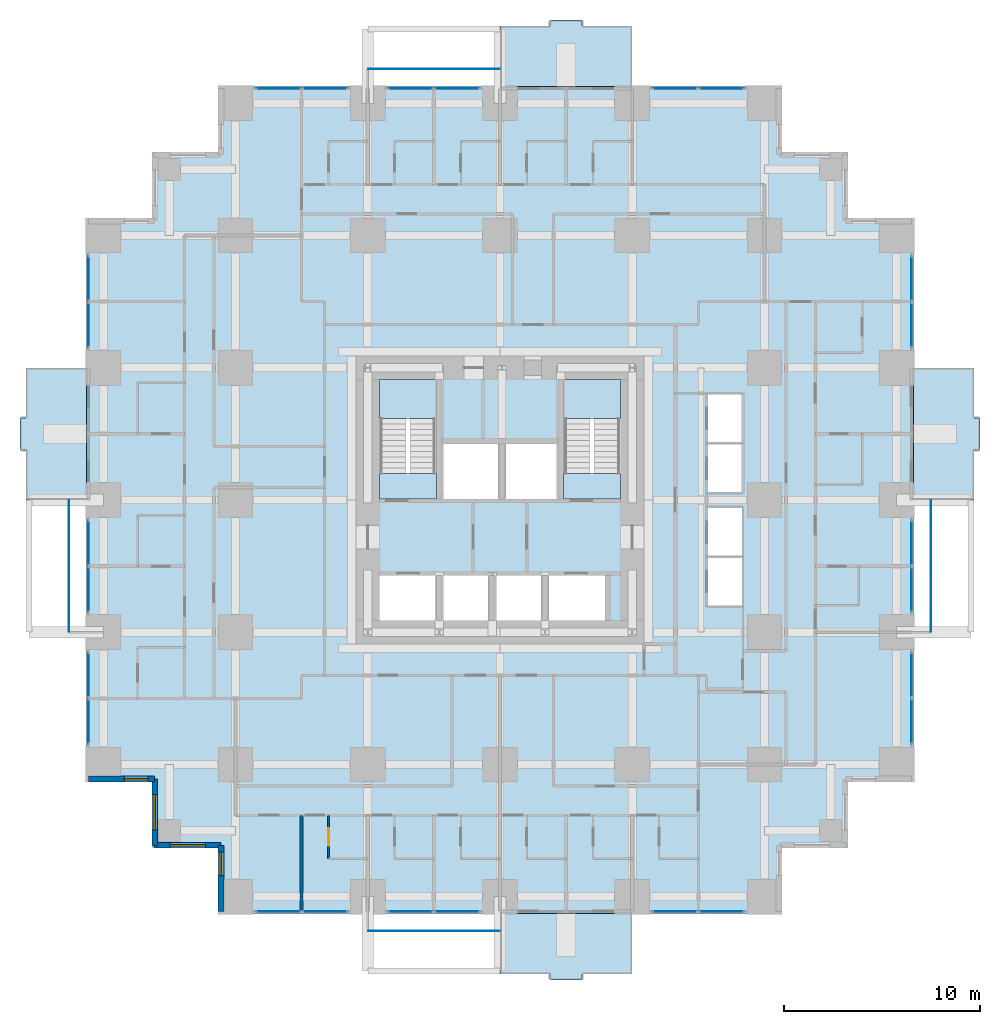
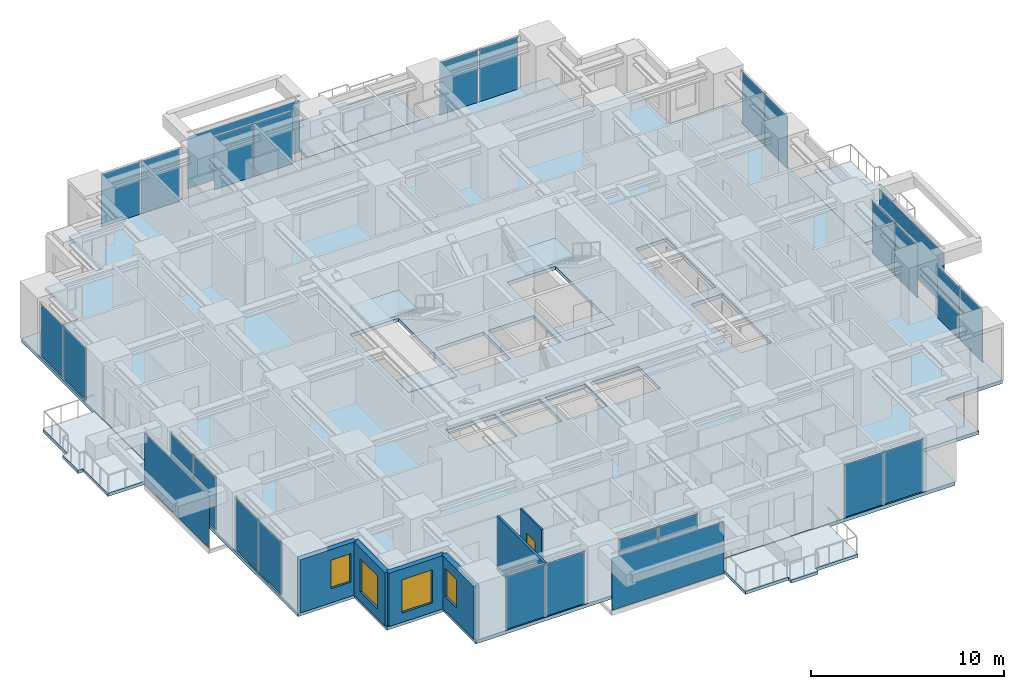
# One storey, part 7 of 14: 28 plates, 9 slabs, 6 walls, 4 windows, 1 door, 5 openings, 14 elements without a shape of their own.
"""IFC4 building model written with IfcOpenShell, lengths in metres."""

from ifc_helpers import new_model, si_unit, direction, frame, frame_2d, origin, origin_2d, place, context, subcontext, project, spatial, polyline, rectangle, outline, extrude, material, layer, layer_set, type_object, element, fill, aggregate, save


model = new_model("IFC4")

# Units and contexts
model_context = context("Model", 3, precision=1e-05, world=origin(), true_north=direction((0.0, 1.0)))
body_context = subcontext(model_context, "Body", "Model", "MODEL_VIEW")
ifc_project = project(units=[si_unit("LENGTHUNIT", "METRE"), si_unit("AREAUNIT", "SQUARE_METRE"), si_unit("VOLUMEUNIT", "CUBIC_METRE"), si_unit("PLANEANGLEUNIT", "RADIAN"), si_unit("MASSUNIT", "GRAM", prefix="KILO")], contexts=[model_context])

# Site, building, storey
site_placement = place(None, origin())
site = spatial("IfcSite", under=ifc_project, at=site_placement, CompositionType="ELEMENT")
building_placement = place(site_placement, origin())
building = spatial("IfcBuilding", under=site, at=building_placement, Name="Nyansa Garden Tower", CompositionType="ELEMENT")
storey_placement = place(building_placement, frame((0.0, 0.0, 64.800048828125)))
storey = spatial("IfcBuildingStorey", under=building, at=storey_placement, Name="L17", CompositionType="ELEMENT", Elevation=64.800048828125)

# Slabs
ifc_material_1 = material(Name="Concrete C40/50", Category="concrete")
ifc_layer_1 = layer(ifc_material_1, 0.199951171875)
ifc_layer_set_1 = layer_set([ifc_layer_1], Name="Balcony slab BS200")
slab_type_1 = type_object("IfcSlabType", Name="Balcony slab BS200", PredefinedType="FLOOR", material=ifc_layer_set_1)
slab_1_placement = place(storey_placement, frame((0.0, 0.0, -0.239990234375)))
element("IfcSlab", 1, at=slab_1_placement, inside=storey, type_object=slab_type_1, Name="Balcony L17 S", PredefinedType="FLOOR", context=body_context, shape_type="SweptSolid", body=[
    extrude(outline(polyline([(20.25, -0.85009765625), (27.0, -0.85009765625), (27.0, -3.949951171875), (24.425048828125, -3.949951171875), (24.425048828125, -4.25), (22.824951171875, -4.25), (22.824951171875, -3.949951171875), (20.25, -3.949951171875), (20.25, -0.85009765625)])), origin(), (0.0, 0.0, 1.0), 0.199951171875),
])
slab_2_placement = place(storey_placement, frame((0.0, 0.0, -0.239990234375)))
element("IfcSlab", 2, at=slab_2_placement, inside=storey, type_object=slab_type_1, Name="Balcony L17 E", PredefinedType="FLOOR", context=body_context, shape_type="SweptSolid", body=[
    extrude(outline(polyline([(41.35009765625, 20.25), (41.35009765625, 27.0), (44.449951171875, 27.0), (44.449951171875, 24.425048828125), (44.75, 24.425048828125), (44.75, 22.824951171875), (44.449951171875, 22.824951171875), (44.449951171875, 20.25), (41.35009765625, 20.25)])), origin(), (0.0, 0.0, 1.0), 0.199951171875),
])
slab_3_placement = place(storey_placement, frame((0.0, 0.0, -0.239990234375)))
element("IfcSlab", 3, at=slab_3_placement, inside=storey, type_object=slab_type_1, Name="Balcony L17 N", PredefinedType="FLOOR", context=body_context, shape_type="SweptSolid", body=[
    extrude(outline(polyline([(20.25, 41.35009765625), (27.0, 41.35009765625), (27.0, 44.449951171875), (24.425048828125, 44.449951171875), (24.425048828125, 44.75), (22.824951171875, 44.75), (22.824951171875, 44.449951171875), (20.25, 44.449951171875), (20.25, 41.35009765625)])), origin(), (0.0, 0.0, 1.0), 0.199951171875),
])
slab_4_placement = place(storey_placement, frame((0.0, 0.0, -0.239990234375)))
element("IfcSlab", 4, at=slab_4_placement, inside=storey, type_object=slab_type_1, Name="Balcony L17 W", PredefinedType="FLOOR", context=body_context, shape_type="SweptSolid", body=[
    extrude(outline(polyline([(-0.85009765625, 20.25), (-0.85009765625, 27.0), (-3.949951171875, 27.0), (-3.949951171875, 24.425048828125), (-4.25, 24.425048828125), (-4.25, 22.824951171875), (-3.949951171875, 22.824951171875), (-3.949951171875, 20.25), (-0.85009765625, 20.25)])), origin(), (0.0, 0.0, 1.0), 0.199951171875),
])

# Curtain wall, plates
ifc_material_2 = material(Name="Black anodised aluminium, dark tinted double glazing", Category="aluminium")
curtain_wall_type = type_object("IfcCurtainWallType", Name="Inner skin curtain wall ISW-A", PredefinedType="USERDEFINED", material=ifc_material_2)
curtain_wall_1_placement = place(storey_placement, origin())
curtain_wall_1 = element("IfcCurtainWall", 5, at=curtain_wall_1_placement, inside=storey, type_object=curtain_wall_type, Name="Inner skin curtain wall L17 E", ObjectType="UNITISED CURTAIN WALL", PredefinedType="USERDEFINED")
ifc_material_3 = material(Name="Dark tinted laminated double glazing", Category="glass")
ifc_layer_2 = layer(ifc_material_3, 0.031982421875)
ifc_layer_set_2 = layer_set([ifc_layer_2], Name="Dark tinted vision panel VP-A")
plate_type_1 = type_object("IfcPlateType", Name="Dark tinted vision panel VP-A", PredefinedType="CURTAIN_PANEL", material=ifc_layer_set_2)
plate_1_placement = place(storey_placement, frame((41.25, 8.9375, 0.0), z_axis=(0.0, 0.0, 1.0), x_axis=(0.0, 1.0, 0.0)))
plate_1 = element("IfcPlate", 6, at=plate_1_placement, type_object=plate_type_1, Name="ISW-A panel 1", PredefinedType="CURTAIN_PANEL", context=body_context, shape_type="SweptSolid", body=[
    extrude(rectangle(XDim=2.31005859375, YDim=0.031982421875, at=origin_2d()), origin(), (0.0, 0.0, 1.0), 3.31005859375),
])
plate_2_placement = place(storey_placement, frame((41.25, 11.3125, 0.0), z_axis=(0.0, 0.0, 1.0), x_axis=(0.0, 1.0, 0.0)))
plate_2 = element("IfcPlate", 7, at=plate_2_placement, type_object=plate_type_1, Name="ISW-A panel 2", PredefinedType="CURTAIN_PANEL", context=body_context, shape_type="SweptSolid", body=[
    extrude(rectangle(XDim=2.31005859375, YDim=0.031982421875, at=origin_2d()), origin(), (0.0, 0.0, 1.0), 3.31005859375),
])
aggregate(curtain_wall_1, [plate_1, plate_2])

curtain_wall_2_placement = place(storey_placement, origin())
curtain_wall_2 = element("IfcCurtainWall", 8, at=curtain_wall_2_placement, inside=storey, type_object=curtain_wall_type, Name="Inner skin curtain wall L17 E", ObjectType="UNITISED CURTAIN WALL", PredefinedType="USERDEFINED")
plate_3_placement = place(storey_placement, frame((41.25, 15.6875, 0.0), z_axis=(0.0, 0.0, 1.0), x_axis=(0.0, 1.0, 0.0)))
plate_3 = element("IfcPlate", 9, at=plate_3_placement, type_object=plate_type_1, Name="ISW-A panel 1", PredefinedType="CURTAIN_PANEL", context=body_context, shape_type="SweptSolid", body=[
    extrude(rectangle(XDim=2.31005859375, YDim=0.031982421875, at=origin_2d()), origin(), (0.0, 0.0, 1.0), 3.31005859375),
])
plate_4_placement = place(storey_placement, frame((41.25, 18.0625, 0.0), z_axis=(0.0, 0.0, 1.0), x_axis=(0.0, 1.0, 0.0)))
plate_4 = element("IfcPlate", 10, at=plate_4_placement, type_object=plate_type_1, Name="ISW-A panel 2", PredefinedType="CURTAIN_PANEL", context=body_context, shape_type="SweptSolid", body=[
    extrude(rectangle(XDim=2.31005859375, YDim=0.031982421875, at=origin_2d()), origin(), (0.0, 0.0, 1.0), 3.31005859375),
])
aggregate(curtain_wall_2, [plate_3, plate_4])

curtain_wall_3_placement = place(storey_placement, origin())
curtain_wall_3 = element("IfcCurtainWall", 11, at=curtain_wall_3_placement, inside=storey, type_object=curtain_wall_type, Name="Inner skin curtain wall L17 E", ObjectType="UNITISED CURTAIN WALL", PredefinedType="USERDEFINED")
plate_5_placement = place(storey_placement, frame((41.25, 29.1875, 0.0), z_axis=(0.0, 0.0, 1.0), x_axis=(0.0, 1.0, 0.0)))
plate_5 = element("IfcPlate", 12, at=plate_5_placement, type_object=plate_type_1, Name="ISW-A panel 1", PredefinedType="CURTAIN_PANEL", context=body_context, shape_type="SweptSolid", body=[
    extrude(rectangle(XDim=2.31005859375, YDim=0.031982421875, at=origin_2d()), origin(), (0.0, 0.0, 1.0), 3.31005859375),
])
plate_6_placement = place(storey_placement, frame((41.25, 31.5625, 0.0), z_axis=(0.0, 0.0, 1.0), x_axis=(0.0, 1.0, 0.0)))
plate_6 = element("IfcPlate", 13, at=plate_6_placement, type_object=plate_type_1, Name="ISW-A panel 2", PredefinedType="CURTAIN_PANEL", context=body_context, shape_type="SweptSolid", body=[
    extrude(rectangle(XDim=2.31005859375, YDim=0.031982421875, at=origin_2d()), origin(), (0.0, 0.0, 1.0), 3.31005859375),
])
aggregate(curtain_wall_3, [plate_5, plate_6])

curtain_wall_4_placement = place(storey_placement, origin())
curtain_wall_4 = element("IfcCurtainWall", 14, at=curtain_wall_4_placement, inside=storey, type_object=curtain_wall_type, Name="Inner skin curtain wall L17 N", ObjectType="UNITISED CURTAIN WALL", PredefinedType="USERDEFINED")
plate_7_placement = place(storey_placement, frame((18.0625, 41.25, 0.0), z_axis=(0.0, 0.0, 1.0), x_axis=(-1.0, 0.0, 0.0)))
plate_7 = element("IfcPlate", 15, at=plate_7_placement, type_object=plate_type_1, Name="ISW-A panel 1", PredefinedType="CURTAIN_PANEL", context=body_context, shape_type="SweptSolid", body=[
    extrude(rectangle(XDim=2.31005859375, YDim=0.031982421875, at=origin_2d()), origin(), (0.0, 0.0, 1.0), 3.31005859375),
])
plate_8_placement = place(storey_placement, frame((15.6875, 41.25, 0.0), z_axis=(0.0, 0.0, 1.0), x_axis=(-1.0, 0.0, 0.0)))
plate_8 = element("IfcPlate", 16, at=plate_8_placement, type_object=plate_type_1, Name="ISW-A panel 2", PredefinedType="CURTAIN_PANEL", context=body_context, shape_type="SweptSolid", body=[
    extrude(rectangle(XDim=2.31005859375, YDim=0.031982421875, at=origin_2d()), origin(), (0.0, 0.0, 1.0), 3.31005859375),
])
aggregate(curtain_wall_4, [plate_7, plate_8])

curtain_wall_5_placement = place(storey_placement, origin())
curtain_wall_5 = element("IfcCurtainWall", 17, at=curtain_wall_5_placement, inside=storey, type_object=curtain_wall_type, Name="Inner skin curtain wall L17 N", ObjectType="UNITISED CURTAIN WALL", PredefinedType="USERDEFINED")
plate_9_placement = place(storey_placement, frame((11.3125, 41.25, 0.0), z_axis=(0.0, 0.0, 1.0), x_axis=(-1.0, 0.0, 0.0)))
plate_9 = element("IfcPlate", 18, at=plate_9_placement, type_object=plate_type_1, Name="ISW-A panel 1", PredefinedType="CURTAIN_PANEL", context=body_context, shape_type="SweptSolid", body=[
    extrude(rectangle(XDim=2.31005859375, YDim=0.031982421875, at=origin_2d()), origin(), (0.0, 0.0, 1.0), 3.31005859375),
])
plate_10_placement = place(storey_placement, frame((8.9375, 41.25, 0.0), z_axis=(0.0, 0.0, 1.0), x_axis=(-1.0, 0.0, 0.0)))
plate_10 = element("IfcPlate", 19, at=plate_10_placement, type_object=plate_type_1, Name="ISW-A panel 2", PredefinedType="CURTAIN_PANEL", context=body_context, shape_type="SweptSolid", body=[
    extrude(rectangle(XDim=2.31005859375, YDim=0.031982421875, at=origin_2d()), origin(), (0.0, 0.0, 1.0), 3.31005859375),
])
aggregate(curtain_wall_5, [plate_9, plate_10])

curtain_wall_6_placement = place(storey_placement, origin())
curtain_wall_6 = element("IfcCurtainWall", 20, at=curtain_wall_6_placement, inside=storey, type_object=curtain_wall_type, Name="Inner skin curtain wall L17 N", ObjectType="UNITISED CURTAIN WALL", PredefinedType="USERDEFINED")
plate_11_placement = place(storey_placement, frame((31.5625, 41.25, 0.0), z_axis=(0.0, 0.0, 1.0), x_axis=(-1.0, 0.0, 0.0)))
plate_11 = element("IfcPlate", 21, at=plate_11_placement, type_object=plate_type_1, Name="ISW-A panel 1", PredefinedType="CURTAIN_PANEL", context=body_context, shape_type="SweptSolid", body=[
    extrude(rectangle(XDim=2.31005859375, YDim=0.031982421875, at=origin_2d()), origin(), (0.0, 0.0, 1.0), 3.31005859375),
])
plate_12_placement = place(storey_placement, frame((29.1875, 41.25, 0.0), z_axis=(0.0, 0.0, 1.0), x_axis=(-1.0, 0.0, 0.0)))
plate_12 = element("IfcPlate", 22, at=plate_12_placement, type_object=plate_type_1, Name="ISW-A panel 2", PredefinedType="CURTAIN_PANEL", context=body_context, shape_type="SweptSolid", body=[
    extrude(rectangle(XDim=2.31005859375, YDim=0.031982421875, at=origin_2d()), origin(), (0.0, 0.0, 1.0), 3.31005859375),
])
aggregate(curtain_wall_6, [plate_11, plate_12])

curtain_wall_7_placement = place(storey_placement, origin())
curtain_wall_7 = element("IfcCurtainWall", 23, at=curtain_wall_7_placement, inside=storey, type_object=curtain_wall_type, Name="Inner skin curtain wall L17 W", ObjectType="UNITISED CURTAIN WALL", PredefinedType="USERDEFINED")
plate_13_placement = place(storey_placement, frame((-0.75, 18.0625, 0.0), z_axis=(0.0, 0.0, 1.0), x_axis=(0.0, -1.0, 0.0)))
plate_13 = element("IfcPlate", 24, at=plate_13_placement, type_object=plate_type_1, Name="ISW-A panel 1", PredefinedType="CURTAIN_PANEL", context=body_context, shape_type="SweptSolid", body=[
    extrude(rectangle(XDim=2.31005859375, YDim=0.031982421875, at=origin_2d()), origin(), (0.0, 0.0, 1.0), 3.31005859375),
])
plate_14_placement = place(storey_placement, frame((-0.75, 15.6875, 0.0), z_axis=(0.0, 0.0, 1.0), x_axis=(0.0, -1.0, 0.0)))
plate_14 = element("IfcPlate", 25, at=plate_14_placement, type_object=plate_type_1, Name="ISW-A panel 2", PredefinedType="CURTAIN_PANEL", context=body_context, shape_type="SweptSolid", body=[
    extrude(rectangle(XDim=2.31005859375, YDim=0.031982421875, at=origin_2d()), origin(), (0.0, 0.0, 1.0), 3.31005859375),
])
aggregate(curtain_wall_7, [plate_13, plate_14])

curtain_wall_8_placement = place(storey_placement, origin())
curtain_wall_8 = element("IfcCurtainWall", 26, at=curtain_wall_8_placement, inside=storey, type_object=curtain_wall_type, Name="Inner skin curtain wall L17 W", ObjectType="UNITISED CURTAIN WALL", PredefinedType="USERDEFINED")
plate_15_placement = place(storey_placement, frame((-0.75, 11.3125, 0.0), z_axis=(0.0, 0.0, 1.0), x_axis=(0.0, -1.0, 0.0)))
plate_15 = element("IfcPlate", 27, at=plate_15_placement, type_object=plate_type_1, Name="ISW-A panel 1", PredefinedType="CURTAIN_PANEL", context=body_context, shape_type="SweptSolid", body=[
    extrude(rectangle(XDim=2.31005859375, YDim=0.031982421875, at=origin_2d()), origin(), (0.0, 0.0, 1.0), 3.31005859375),
])
plate_16_placement = place(storey_placement, frame((-0.75, 8.9375, 0.0), z_axis=(0.0, 0.0, 1.0), x_axis=(0.0, -1.0, 0.0)))
plate_16 = element("IfcPlate", 28, at=plate_16_placement, type_object=plate_type_1, Name="ISW-A panel 2", PredefinedType="CURTAIN_PANEL", context=body_context, shape_type="SweptSolid", body=[
    extrude(rectangle(XDim=2.31005859375, YDim=0.031982421875, at=origin_2d()), origin(), (0.0, 0.0, 1.0), 3.31005859375),
])
aggregate(curtain_wall_8, [plate_15, plate_16])

curtain_wall_9_placement = place(storey_placement, origin())
curtain_wall_9 = element("IfcCurtainWall", 29, at=curtain_wall_9_placement, inside=storey, type_object=curtain_wall_type, Name="Inner skin curtain wall L17 W", ObjectType="UNITISED CURTAIN WALL", PredefinedType="USERDEFINED")
plate_17_placement = place(storey_placement, frame((-0.75, 31.5625, 0.0), z_axis=(0.0, 0.0, 1.0), x_axis=(0.0, -1.0, 0.0)))
plate_17 = element("IfcPlate", 30, at=plate_17_placement, type_object=plate_type_1, Name="ISW-A panel 1", PredefinedType="CURTAIN_PANEL", context=body_context, shape_type="SweptSolid", body=[
    extrude(rectangle(XDim=2.31005859375, YDim=0.031982421875, at=origin_2d()), origin(), (0.0, 0.0, 1.0), 3.31005859375),
])
plate_18_placement = place(storey_placement, frame((-0.75, 29.1875, 0.0), z_axis=(0.0, 0.0, 1.0), x_axis=(0.0, -1.0, 0.0)))
plate_18 = element("IfcPlate", 31, at=plate_18_placement, type_object=plate_type_1, Name="ISW-A panel 2", PredefinedType="CURTAIN_PANEL", context=body_context, shape_type="SweptSolid", body=[
    extrude(rectangle(XDim=2.31005859375, YDim=0.031982421875, at=origin_2d()), origin(), (0.0, 0.0, 1.0), 3.31005859375),
])
aggregate(curtain_wall_9, [plate_17, plate_18])

curtain_wall_10_placement = place(storey_placement, origin())
curtain_wall_10 = element("IfcCurtainWall", 32, at=curtain_wall_10_placement, inside=storey, type_object=curtain_wall_type, Name="Inner skin curtain wall L17 S", ObjectType="UNITISED CURTAIN WALL", PredefinedType="USERDEFINED")
plate_19_placement = place(storey_placement, frame((8.9375, -0.75, 0.0), z_axis=(0.0, 0.0, 1.0), x_axis=(1.0, 0.0, 0.0)))
plate_19 = element("IfcPlate", 33, at=plate_19_placement, type_object=plate_type_1, Name="ISW-A panel 1", PredefinedType="CURTAIN_PANEL", context=body_context, shape_type="SweptSolid", body=[
    extrude(rectangle(XDim=2.31005859375, YDim=0.031982421875, at=origin_2d()), origin(), (0.0, 0.0, 1.0), 3.31005859375),
])
plate_20_placement = place(storey_placement, frame((11.3125, -0.75, 0.0), z_axis=(0.0, 0.0, 1.0), x_axis=(1.0, 0.0, 0.0)))
plate_20 = element("IfcPlate", 34, at=plate_20_placement, type_object=plate_type_1, Name="ISW-A panel 2", PredefinedType="CURTAIN_PANEL", context=body_context, shape_type="SweptSolid", body=[
    extrude(rectangle(XDim=2.31005859375, YDim=0.031982421875, at=origin_2d()), origin(), (0.0, 0.0, 1.0), 3.31005859375),
])
aggregate(curtain_wall_10, [plate_19, plate_20])

curtain_wall_11_placement = place(storey_placement, origin())
curtain_wall_11 = element("IfcCurtainWall", 35, at=curtain_wall_11_placement, inside=storey, type_object=curtain_wall_type, Name="Inner skin curtain wall L17 S", ObjectType="UNITISED CURTAIN WALL", PredefinedType="USERDEFINED")
plate_21_placement = place(storey_placement, frame((15.6875, -0.75, 0.0), z_axis=(0.0, 0.0, 1.0), x_axis=(1.0, 0.0, 0.0)))
plate_21 = element("IfcPlate", 36, at=plate_21_placement, type_object=plate_type_1, Name="ISW-A panel 1", PredefinedType="CURTAIN_PANEL", context=body_context, shape_type="SweptSolid", body=[
    extrude(rectangle(XDim=2.31005859375, YDim=0.031982421875, at=origin_2d()), origin(), (0.0, 0.0, 1.0), 3.31005859375),
])
plate_22_placement = place(storey_placement, frame((18.0625, -0.75, 0.0), z_axis=(0.0, 0.0, 1.0), x_axis=(1.0, 0.0, 0.0)))
plate_22 = element("IfcPlate", 37, at=plate_22_placement, type_object=plate_type_1, Name="ISW-A panel 2", PredefinedType="CURTAIN_PANEL", context=body_context, shape_type="SweptSolid", body=[
    extrude(rectangle(XDim=2.31005859375, YDim=0.031982421875, at=origin_2d()), origin(), (0.0, 0.0, 1.0), 3.31005859375),
])
aggregate(curtain_wall_11, [plate_21, plate_22])

curtain_wall_12_placement = place(storey_placement, origin())
curtain_wall_12 = element("IfcCurtainWall", 38, at=curtain_wall_12_placement, inside=storey, type_object=curtain_wall_type, Name="Inner skin curtain wall L17 S", ObjectType="UNITISED CURTAIN WALL", PredefinedType="USERDEFINED")
plate_23_placement = place(storey_placement, frame((29.1875, -0.75, 0.0), z_axis=(0.0, 0.0, 1.0), x_axis=(1.0, 0.0, 0.0)))
plate_23 = element("IfcPlate", 39, at=plate_23_placement, type_object=plate_type_1, Name="ISW-A panel 1", PredefinedType="CURTAIN_PANEL", context=body_context, shape_type="SweptSolid", body=[
    extrude(rectangle(XDim=2.31005859375, YDim=0.031982421875, at=origin_2d()), origin(), (0.0, 0.0, 1.0), 3.31005859375),
])
plate_24_placement = place(storey_placement, frame((31.5625, -0.75, 0.0), z_axis=(0.0, 0.0, 1.0), x_axis=(1.0, 0.0, 0.0)))
plate_24 = element("IfcPlate", 40, at=plate_24_placement, type_object=plate_type_1, Name="ISW-A panel 2", PredefinedType="CURTAIN_PANEL", context=body_context, shape_type="SweptSolid", body=[
    extrude(rectangle(XDim=2.31005859375, YDim=0.031982421875, at=origin_2d()), origin(), (0.0, 0.0, 1.0), 3.31005859375),
])
aggregate(curtain_wall_12, [plate_23, plate_24])

# Slab
ifc_material_4 = material(Name="Concrete C40/50", Category="concrete")
ifc_layer_3 = layer(ifc_material_4, 0.22509765625)
ifc_layer_set_3 = layer_set([ifc_layer_3], Name="Floor slab FS225")
slab_type_2 = type_object("IfcSlabType", Name="Floor slab FS225", PredefinedType="FLOOR", material=ifc_layer_set_3)
slab_5_placement = place(storey_placement, frame((0.0, 0.0, -0.22509765625)))
element("IfcSlab", 41, at=slab_5_placement, inside=storey, type_object=slab_type_2, Name="Floor slab L17", PredefinedType="FLOOR", context=body_context, shape_type="SweptSolid", body=[
    extrude(outline(polyline([(41.35009765625, 5.89990234375), (37.97509765625, 5.89990234375), (37.97509765625, 2.52490234375), (34.60009765625, 2.52490234375), (34.60009765625, -0.85009765625), (5.89990234375, -0.85009765625), (5.89990234375, 2.52490234375), (2.52490234375, 2.52490234375), (2.52490234375, 5.89990234375), (-0.85009765625, 5.89990234375), (-0.85009765625, 34.60009765625), (2.52490234375, 34.60009765625), (2.52490234375, 37.97509765625), (5.89990234375, 37.97509765625), (5.89990234375, 41.35009765625), (34.60009765625, 41.35009765625), (34.60009765625, 37.97509765625), (37.97509765625, 37.97509765625), (37.97509765625, 34.60009765625), (41.35009765625, 34.60009765625), (41.35009765625, 5.89990234375)]), holes=[polyline([(14.10009765625, 14.10009765625), (17.0, 14.10009765625), (17.0, 16.39990234375), (14.10009765625, 16.39990234375), (14.10009765625, 14.10009765625)]), polyline([(17.300048828125, 14.10009765625), (19.699951171875, 14.10009765625), (19.699951171875, 16.39990234375), (17.300048828125, 16.39990234375), (17.300048828125, 14.10009765625)]), polyline([(20.0, 14.10009765625), (22.39990234375, 14.10009765625), (22.39990234375, 16.39990234375), (20.0, 16.39990234375), (20.0, 14.10009765625)]), polyline([(22.699951171875, 14.10009765625), (25.60009765625, 14.10009765625), (25.60009765625, 16.39990234375), (22.699951171875, 16.39990234375), (22.699951171875, 14.10009765625)]), polyline([(17.300048828125, 20.300048828125), (20.199951171875, 20.300048828125), (20.199951171875, 23.10009765625), (17.300048828125, 23.10009765625), (17.300048828125, 20.300048828125)]), polyline([(20.5, 20.300048828125), (23.199951171875, 20.300048828125), (23.199951171875, 23.10009765625), (20.5, 23.10009765625), (20.5, 20.300048828125)]), polyline([(30.800048828125, 14.800048828125), (32.64990234375, 14.800048828125), (32.64990234375, 19.89990234375), (30.800048828125, 19.89990234375), (30.800048828125, 14.800048828125)]), polyline([(30.800048828125, 20.60009765625), (32.64990234375, 20.60009765625), (32.64990234375, 25.699951171875), (30.800048828125, 25.699951171875), (30.800048828125, 20.60009765625)]), polyline([(14.10009765625, 20.300048828125), (17.0, 20.300048828125), (17.0, 26.39990234375), (14.10009765625, 26.39990234375), (14.10009765625, 20.300048828125)]), polyline([(23.5, 20.300048828125), (26.39990234375, 20.300048828125), (26.39990234375, 26.39990234375), (23.5, 26.39990234375), (23.5, 20.300048828125)])]), origin(), (0.0, 0.0, 1.0), 0.22509765625),
])

# Plates
ifc_material_5 = material(Name="Dark tinted laminated glass", Category="glass")
ifc_layer_4 = layer(ifc_material_5, 0.02392578125)
ifc_layer_set_4 = layer_set([ifc_layer_4], Name="Outer skin glass panel OS1")
plate_type_2 = type_object("IfcPlateType", Name="Outer skin glass panel OS1", PredefinedType="USERDEFINED", material=ifc_layer_set_4)
for number, where, z_axis, x_axis, name in (
    (42, (42.25, 16.875, -0.22509765625), (0.0, 0.0, 1.0), (0.0, 1.0, 0.0), "Outer skin glass panel L17"),
    (43, (16.875, 42.25, -0.22509765625), (0.0, 0.0, 1.0), (1.0, 0.0, 0.0), "Outer skin glass panel L17"),
    (44, (-1.75, 16.875, -0.22509765625), (0.0, 0.0, 1.0), (0.0, 1.0, 0.0), "Outer skin glass panel L17"),
    (45, (16.875, -1.75, -0.22509765625), (0.0, 0.0, 1.0), (1.0, 0.0, 0.0), "Outer skin glass panel L17"),
):
    element("IfcPlate", number, at=place(storey_placement, frame(where, z_axis=z_axis, x_axis=x_axis)), inside=storey, type_object=plate_type_2, Name=name, ObjectType="OUTER SKIN GLASS", PredefinedType="USERDEFINED", context=body_context, shape_type="SweptSolid", body=[
        extrude(rectangle(XDim=6.7099609375, YDim=0.02392578125, at=origin_2d()), origin(), (0.0, 0.0, 1.0), 3.300048828125),
    ])

# Stair, slabs
ifc_material_6 = material(Name="Precast concrete C40/50", Category="concrete")
stair_type_1 = type_object("IfcStairType", Name="Stair S1 164x280", PredefinedType="HALF_TURN_STAIR", material=ifc_material_6)
stair_1_placement = place(storey_placement, origin())
stair_1 = element("IfcStair", 46, at=stair_1_placement, inside=storey, type_object=stair_type_1, Name="Stair S1 L17", PredefinedType="HALF_TURN_STAIR")
ifc_material_7 = material(Name="Concrete C40/50", Category="concrete")
ifc_layer_5 = layer(ifc_material_7, 0.199951171875)
ifc_layer_set_5 = layer_set([ifc_layer_5], Name="Stair landing SL200")
slab_type_3 = type_object("IfcSlabType", Name="Stair landing SL200", PredefinedType="LANDING", material=ifc_layer_set_5)
slab_6_placement = place(storey_placement, frame((0.0, 0.0, -0.199951171875)))
slab_6 = element("IfcSlab", 47, at=slab_6_placement, type_object=slab_type_3, Name="S1 landing 1", PredefinedType="LANDING", context=body_context, shape_type="SweptSolid", body=[
    extrude(outline(polyline([(14.10009765625, 20.300048828125), (17.0, 20.300048828125), (17.0, 21.60009765625), (14.10009765625, 21.60009765625), (14.10009765625, 20.300048828125)])), origin(), (0.0, 0.0, 1.0), 0.199951171875),
])
slab_7_placement = place(storey_placement, frame((0.0, 0.0, 1.599853515625)))
slab_7 = element("IfcSlab", 48, at=slab_7_placement, type_object=slab_type_3, Name="S1 landing 2", PredefinedType="LANDING", context=body_context, shape_type="SweptSolid", body=[
    extrude(outline(polyline([(14.10009765625, 24.39990234375), (17.0, 24.39990234375), (17.0, 26.39990234375), (14.10009765625, 26.39990234375), (14.10009765625, 24.39990234375)])), origin(), (0.0, 0.0, 1.0), 0.2001953125),
])
aggregate(stair_1, [slab_6, slab_7])

ifc_material_8 = material(Name="Precast concrete C40/50", Category="concrete")
stair_type_2 = type_object("IfcStairType", Name="Stair S2 164x280", PredefinedType="HALF_TURN_STAIR", material=ifc_material_8)
stair_2_placement = place(storey_placement, origin())
stair_2 = element("IfcStair", 49, at=stair_2_placement, inside=storey, type_object=stair_type_2, Name="Stair S2 L17", PredefinedType="HALF_TURN_STAIR")
slab_8_placement = place(storey_placement, frame((0.0, 0.0, -0.199951171875)))
slab_8 = element("IfcSlab", 50, at=slab_8_placement, type_object=slab_type_3, Name="S2 landing 1", PredefinedType="LANDING", context=body_context, shape_type="SweptSolid", body=[
    extrude(outline(polyline([(23.5, 20.300048828125), (26.39990234375, 20.300048828125), (26.39990234375, 21.60009765625), (23.5, 21.60009765625), (23.5, 20.300048828125)])), origin(), (0.0, 0.0, 1.0), 0.199951171875),
])
slab_9_placement = place(storey_placement, frame((0.0, 0.0, 1.599853515625)))
slab_9 = element("IfcSlab", 51, at=slab_9_placement, type_object=slab_type_3, Name="S2 landing 2", PredefinedType="LANDING", context=body_context, shape_type="SweptSolid", body=[
    extrude(outline(polyline([(23.5, 24.39990234375), (26.39990234375, 24.39990234375), (26.39990234375, 26.39990234375), (23.5, 26.39990234375), (23.5, 24.39990234375)])), origin(), (0.0, 0.0, 1.0), 0.2001953125),
])
aggregate(stair_2, [slab_8, slab_9])

# Wall
ifc_material_9 = material(Name="Blockwork, plastered both sides", Category="masonry")
ifc_layer_6 = layer(ifc_material_9, 0.14990234375)
ifc_layer_set_6 = layer_set([ifc_layer_6], Name="Partition PW150")
wall_type_1 = type_object("IfcWallType", Name="Partition PW150", PredefinedType="PARTITIONING", material=ifc_layer_set_6)
wall_1_placement = place(storey_placement, frame((10.125, -0.73388671875, 0.0), z_axis=(0.0, 0.0, 1.0), x_axis=(0.0, 1.0, 0.0)))
element("IfcWall", 52, at=wall_1_placement, inside=storey, type_object=wall_type_1, Name="Partition", PredefinedType="PARTITIONING", context=body_context, shape_type="SweptSolid", body=[
    extrude(rectangle(XDim=4.8837890625, YDim=0.14990234375, at=frame_2d((2.44189453125, 0.0))), origin(), (0.0, 0.0, 1.0), 3.375),
])

# Wall, opening, window
ifc_material_10 = material(Name="Turquoise glazed tile on concrete blockwork", Category="masonry")
ifc_layer_7 = layer(ifc_material_10, 0.300048828125)
ifc_layer_set_7 = layer_set([ifc_layer_7], Name="Tiled corner wall TW300")
wall_type_2 = type_object("IfcWallType", Name="Tiled corner wall TW300", PredefinedType="SOLIDWALL", material=ifc_layer_set_7)
wall_2_placement = place(storey_placement, frame((-0.75, 6.0, 0.0), z_axis=(0.0, 0.0, 1.0), x_axis=(1.0, 0.0, 0.0)))
wall_2 = element("IfcWall", 53, at=wall_2_placement, inside=storey, type_object=wall_type_2, Name="Tiled corner wall L17", PredefinedType="SOLIDWALL", context=body_context, shape_type="SweptSolid", body=[
    extrude(rectangle(XDim=3.375, YDim=0.300048828125, at=frame_2d((1.6875, 0.0))), origin(), (0.0, 0.0, 1.0), 3.375),
])
opening_1_placement = place(wall_2_placement, frame((1.83251953125, 0.0, 0.89990234375)))
opening_1 = element("IfcOpeningElement", 54, at=opening_1_placement, cuts=wall_2, Name="Opening W4", PredefinedType="OPENING", context=body_context, shape_type="SweptSolid", body=[
    extrude(rectangle(XDim=1.199951171875, YDim=1.800048828125, at=frame_2d((0.60009765625, 0.89990234375))), frame((0.0, 0.159912109375, 0.0), z_axis=(0.0, -1.0, 0.0), x_axis=(1.0, 0.0, 0.0)), (0.0, 0.0, 1.0), 0.320068359375),
])
ifc_material_11 = material(Name="Black aluminium frame, dark tinted double glazing", Category="aluminium")
window_type_1 = type_object("IfcWindowType", Name="Window W4 1200x1800", PartitioningType="SINGLE_PANEL", PredefinedType="WINDOW", material=ifc_material_11)
window_1_placement = place(opening_1_placement, origin())
window_1 = element("IfcWindow", 55, at=window_1_placement, inside=storey, type_object=window_type_1, Name="Corner window L17", OverallHeight=1.800048828125, OverallWidth=1.199951171875, PartitioningType="SINGLE_PANEL", PredefinedType="WINDOW", context=body_context, shape_type="SweptSolid", body=[
    extrude(rectangle(XDim=1.199951171875, YDim=1.800048828125, at=frame_2d((0.60009765625, 0.89990234375))), frame((0.0, 0.030029296875, 0.0), z_axis=(0.0, -1.0, 0.0), x_axis=(1.0, 0.0, 0.0)), (0.0, 0.0, 1.0), 0.06005859375),
])
fill(opening_1, window_1)

wall_3_placement = place(storey_placement, frame((2.625, 6.0, 0.0), z_axis=(0.0, 0.0, 1.0), x_axis=(0.0, -1.0, 0.0)))
wall_3 = element("IfcWall", 56, at=wall_3_placement, inside=storey, type_object=wall_type_2, Name="Tiled corner wall L17", PredefinedType="SOLIDWALL", context=body_context, shape_type="SweptSolid", body=[
    extrude(rectangle(XDim=3.375, YDim=0.300048828125, at=frame_2d((1.6875, 0.0))), origin(), (0.0, 0.0, 1.0), 3.375),
])
opening_2_placement = place(wall_3_placement, frame((0.78759765625, 0.0, 0.60009765625)))
opening_2 = element("IfcOpeningElement", 57, at=opening_2_placement, cuts=wall_3, Name="Opening W2", PredefinedType="OPENING", context=body_context, shape_type="SweptSolid", body=[
    extrude(rectangle(XDim=1.800048828125, YDim=2.10009765625, at=frame_2d((0.89990234375, 1.050048828125))), frame((0.0, 0.159912109375, 0.0), z_axis=(0.0, -1.0, 0.0), x_axis=(1.0, 0.0, 0.0)), (0.0, 0.0, 1.0), 0.320068359375),
])
ifc_material_12 = material(Name="Black aluminium frame, dark tinted double glazing", Category="aluminium")
window_type_2 = type_object("IfcWindowType", Name="Window W2 1800x2100", PartitioningType="SINGLE_PANEL", PredefinedType="WINDOW", material=ifc_material_12)
window_2_placement = place(opening_2_placement, origin())
window_2 = element("IfcWindow", 58, at=window_2_placement, inside=storey, type_object=window_type_2, Name="Corner window L17", OverallHeight=2.10009765625, OverallWidth=1.800048828125, PartitioningType="SINGLE_PANEL", PredefinedType="WINDOW", context=body_context, shape_type="SweptSolid", body=[
    extrude(rectangle(XDim=1.800048828125, YDim=2.10009765625, at=frame_2d((0.89990234375, 1.050048828125))), frame((0.0, 0.030029296875, 0.0), z_axis=(0.0, -1.0, 0.0), x_axis=(1.0, 0.0, 0.0)), (0.0, 0.0, 1.0), 0.06005859375),
])
fill(opening_2, window_2)

wall_4_placement = place(storey_placement, frame((2.625, 2.625, 0.0), z_axis=(0.0, 0.0, 1.0), x_axis=(1.0, 0.0, 0.0)))
wall_4 = element("IfcWall", 59, at=wall_4_placement, inside=storey, type_object=wall_type_2, Name="Tiled corner wall L17", PredefinedType="SOLIDWALL", context=body_context, shape_type="SweptSolid", body=[
    extrude(rectangle(XDim=3.375, YDim=0.300048828125, at=frame_2d((1.6875, 0.0))), origin(), (0.0, 0.0, 1.0), 3.375),
])
opening_3_placement = place(wall_4_placement, frame((0.78759765625, 0.0, 0.60009765625)))
opening_3 = element("IfcOpeningElement", 60, at=opening_3_placement, cuts=wall_4, Name="Opening W2", PredefinedType="OPENING", context=body_context, shape_type="SweptSolid", body=[
    extrude(rectangle(XDim=1.800048828125, YDim=2.10009765625, at=frame_2d((0.89990234375, 1.050048828125))), frame((0.0, 0.159912109375, 0.0), z_axis=(0.0, -1.0, 0.0), x_axis=(1.0, 0.0, 0.0)), (0.0, 0.0, 1.0), 0.320068359375),
])
window_3_placement = place(opening_3_placement, origin())
window_3 = element("IfcWindow", 61, at=window_3_placement, inside=storey, type_object=window_type_2, Name="Corner window L17", OverallHeight=2.10009765625, OverallWidth=1.800048828125, PartitioningType="SINGLE_PANEL", PredefinedType="WINDOW", context=body_context, shape_type="SweptSolid", body=[
    extrude(rectangle(XDim=1.800048828125, YDim=2.10009765625, at=frame_2d((0.89990234375, 1.050048828125))), frame((0.0, 0.030029296875, 0.0), z_axis=(0.0, -1.0, 0.0), x_axis=(1.0, 0.0, 0.0)), (0.0, 0.0, 1.0), 0.06005859375),
])
fill(opening_3, window_3)

wall_5_placement = place(storey_placement, frame((6.0, 2.625, 0.0), z_axis=(0.0, 0.0, 1.0), x_axis=(0.0, -1.0, 0.0)))
wall_5 = element("IfcWall", 62, at=wall_5_placement, inside=storey, type_object=wall_type_2, Name="Tiled corner wall L17", PredefinedType="SOLIDWALL", context=body_context, shape_type="SweptSolid", body=[
    extrude(rectangle(XDim=3.375, YDim=0.300048828125, at=frame_2d((1.6875, 0.0))), origin(), (0.0, 0.0, 1.0), 3.375),
])
opening_4_placement = place(wall_5_placement, frame((0.342529296875, 0.0, 0.89990234375)))
opening_4 = element("IfcOpeningElement", 63, at=opening_4_placement, cuts=wall_5, Name="Opening W4", PredefinedType="OPENING", context=body_context, shape_type="SweptSolid", body=[
    extrude(rectangle(XDim=1.199951171875, YDim=1.800048828125, at=frame_2d((0.60009765625, 0.89990234375))), frame((0.0, 0.159912109375, 0.0), z_axis=(0.0, -1.0, 0.0), x_axis=(1.0, 0.0, 0.0)), (0.0, 0.0, 1.0), 0.320068359375),
])
window_4_placement = place(opening_4_placement, origin())
window_4 = element("IfcWindow", 64, at=window_4_placement, inside=storey, type_object=window_type_1, Name="Corner window L17", OverallHeight=1.800048828125, OverallWidth=1.199951171875, PartitioningType="SINGLE_PANEL", PredefinedType="WINDOW", context=body_context, shape_type="SweptSolid", body=[
    extrude(rectangle(XDim=1.199951171875, YDim=1.800048828125, at=frame_2d((0.60009765625, 0.89990234375))), frame((0.0, 0.030029296875, 0.0), z_axis=(0.0, -1.0, 0.0), x_axis=(1.0, 0.0, 0.0)), (0.0, 0.0, 1.0), 0.06005859375),
])
fill(opening_4, window_4)

# Wall, opening, door
ifc_material_13 = material(Name="Moisture resistant board on steel studs, tiled", Category="steel")
ifc_layer_8 = layer(ifc_material_13, 0.10009765625)
ifc_layer_set_8 = layer_set([ifc_layer_8], Name="Wet wall PW100")
wall_type_3 = type_object("IfcWallType", Name="Wet wall PW100", PredefinedType="PARTITIONING", material=ifc_layer_set_8)
wall_6_placement = place(storey_placement, frame((11.5, 1.949951171875, 0.0), z_axis=(0.0, 0.0, 1.0), x_axis=(0.0, 1.0, 0.0)))
wall_6 = element("IfcWall", 65, at=wall_6_placement, inside=storey, type_object=wall_type_3, Name="Wet wall", PredefinedType="PARTITIONING", context=body_context, shape_type="SweptSolid", body=[
    extrude(rectangle(XDim=2.199951171875, YDim=0.10009765625, at=frame_2d((1.10009765625, 0.0))), origin(), (0.0, 0.0, 1.0), 3.375),
])
opening_5_placement = place(wall_6_placement, frame((0.64990234375, 0.0, 0.0)))
opening_5 = element("IfcOpeningElement", 66, at=opening_5_placement, cuts=wall_6, Name="Opening D02", PredefinedType="OPENING", context=body_context, shape_type="SweptSolid", body=[
    extrude(rectangle(XDim=0.89990234375, YDim=2.199951171875, at=frame_2d((0.449951171875, 1.10009765625))), frame((0.0, 0.06005859375, 0.0), z_axis=(0.0, -1.0, 0.0), x_axis=(1.0, 0.0, 0.0)), (0.0, 0.0, 1.0), 0.1201171875),
])
ifc_material_14 = material(Name="Timber flush door", Category="wood")
door_type = type_object("IfcDoorType", Name="En-suite door D02 900x2200", OperationType="SINGLE_SWING_RIGHT", PredefinedType="DOOR", material=ifc_material_14)
door_placement = place(opening_5_placement, origin())
door = element("IfcDoor", 67, at=door_placement, inside=storey, type_object=door_type, Name="Door L17-019", OperationType="SINGLE_SWING_RIGHT", OverallHeight=2.199951171875, OverallWidth=0.89990234375, PredefinedType="DOOR", context=body_context, shape_type="SweptSolid", body=[
    extrude(rectangle(XDim=0.89990234375, YDim=2.199951171875, at=frame_2d((0.449951171875, 1.10009765625))), frame((0.0, 0.02490234375, 0.0), z_axis=(0.0, -1.0, 0.0), x_axis=(1.0, 0.0, 0.0)), (0.0, 0.0, 1.0), 0.050048828125),
])
fill(opening_5, door)

save(model, "model.ifc")
